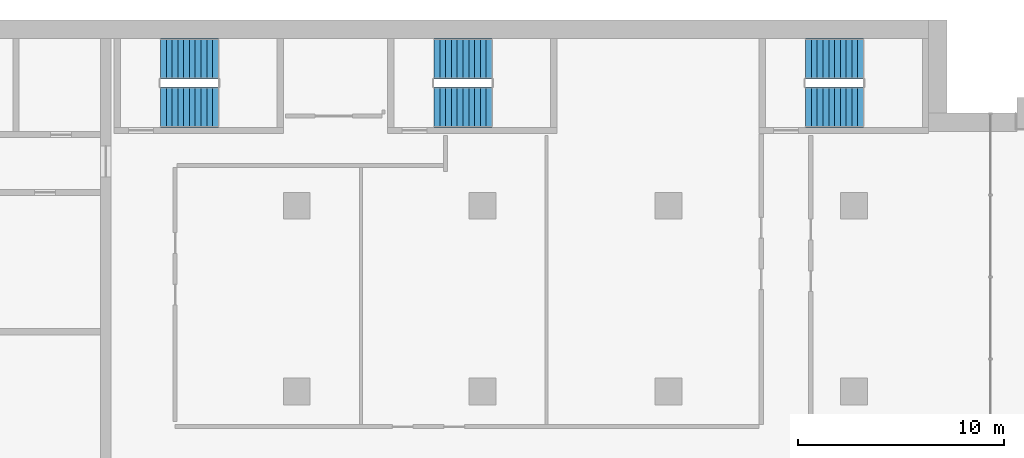
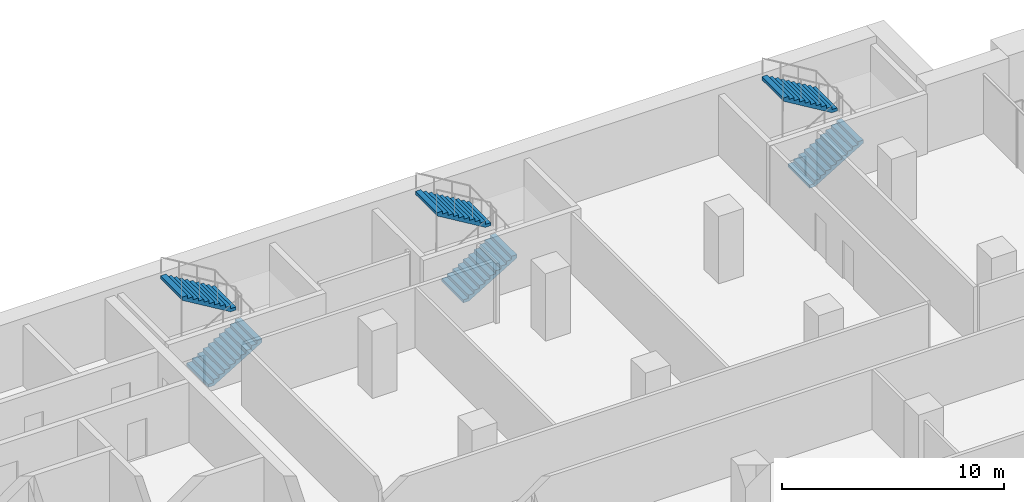
# One storey, part 18 of 23: 6 stair flights, 3 elements without a shape of their own.
"""IFC4 building model written with IfcOpenShell, lengths in metres."""

from ifc_helpers import new_model, si_unit, direction, frame, origin, place, context, subcontext, project, spatial, polyline, outline, extrude, material, type_object, element, aggregate, save


model = new_model("IFC4")

# Units and contexts
model_context = context("Model", 3, precision=1e-05, world=origin(), true_north=direction((0.0, 1.0)))
body_context = subcontext(model_context, "Body", "Model", "MODEL_VIEW")
ifc_project = project(units=[si_unit("LENGTHUNIT", "METRE"), si_unit("AREAUNIT", "SQUARE_METRE"), si_unit("VOLUMEUNIT", "CUBIC_METRE"), si_unit("PLANEANGLEUNIT", "RADIAN"), si_unit("MASSUNIT", "GRAM", prefix="KILO")], contexts=[model_context])

# Site, building, storey
site_placement = place(None, origin())
site = spatial("IfcSite", under=ifc_project, at=site_placement, CompositionType="ELEMENT")
building_placement = place(site_placement, origin())
building = spatial("IfcBuilding", under=site, at=building_placement, Name="Hunhe Ridgeline Campus", CompositionType="ELEMENT")
storey_placement = place(building_placement, frame((0.0, 0.0, 107.0)))
storey = spatial("IfcBuildingStorey", under=building, at=storey_placement, Name="L26", CompositionType="ELEMENT", Elevation=107.0)

# Stair, stair flights
ifc_material = material(Name="Concrete C40", Category="concrete")
stair_type = type_object("IfcStairType", Name="Reinforced concrete dog-leg stair 1950 Concrete C40", PredefinedType="HALF_TURN_STAIR", material=ifc_material)
stair_1_placement = place(storey_placement, origin())
stair_1 = element("IfcStair", 1, at=stair_1_placement, inside=storey, type_object=stair_type, Name="L26 E1", PredefinedType="HALF_TURN_STAIR")
stair_flight_type = type_object("IfcStairFlightType", Name="Reinforced concrete stair flight 1950 Concrete C40", PredefinedType="STRAIGHT", material=ifc_material)
stair_flight_1_placement = place(storey_placement, frame((38.39990234375, 94.77490234375, 0.0), z_axis=(0.0, 0.0, 1.0), x_axis=(1.0, 0.0, 0.0)))
stair_flight_1 = element("IfcStairFlight", 2, at=stair_flight_1_placement, type_object=stair_flight_type, Name="ST5 flight 1", NumberOfRisers=11, NumberOfTreads=10, PredefinedType="STRAIGHT", RiserHeight=0.168181818, TreadLength=0.28, context=body_context, shape_type="SweptSolid", body=[
    extrude(outline(polyline([(0.0, 0.0), (0.0, 0.168212890625), (0.280029296875, 0.168212890625), (0.280029296875, 0.33642578125), (0.56005859375, 0.33642578125), (0.56005859375, 0.504638671875), (0.840087890625, 0.504638671875), (0.840087890625, 0.672607421875), (1.1201171875, 0.672607421875), (1.1201171875, 0.8408203125), (1.39990234375, 0.8408203125), (1.39990234375, 1.009033203125), (1.679931640625, 1.009033203125), (1.679931640625, 1.17724609375), (1.9599609375, 1.17724609375), (1.9599609375, 1.345458984375), (2.239990234375, 1.345458984375), (2.239990234375, 1.513671875), (2.52001953125, 1.513671875), (2.52001953125, 1.681884765625), (2.800048828125, 1.681884765625), (2.800048828125, 1.85009765625), (2.800048828125, 1.5068359375), (0.291015625, 0.0), (0.0, 0.0)])), frame((0.0, 0.97509765625, 0.0), z_axis=(0.0, -1.0, 0.0), x_axis=(1.0, 0.0, 0.0)), (0.0, 0.0, 1.0), 1.949951171875),
    extrude(outline(polyline([(0.030029296875, 0.030029296875), (0.030029296875, 0.13818359375), (0.31005859375, 0.13818359375), (0.31005859375, 0.306396484375), (0.590087890625, 0.306396484375), (0.590087890625, 0.474609375), (0.8701171875, 0.474609375), (0.8701171875, 0.642578125), (1.14990234375, 0.642578125), (1.14990234375, 0.810791015625), (1.429931640625, 0.810791015625), (1.429931640625, 0.97900390625), (1.7099609375, 0.97900390625), (1.7099609375, 1.147216796875), (1.989990234375, 1.147216796875), (1.989990234375, 1.3154296875), (2.27001953125, 1.3154296875), (2.27001953125, 1.483642578125), (2.550048828125, 1.483642578125), (2.550048828125, 1.65185546875), (2.77001953125, 1.65185546875), (2.77001953125, 1.52392578125), (0.28271484375, 0.030029296875), (0.030029296875, 0.030029296875)])), frame((0.0, -0.070068359375, 0.0), z_axis=(0.0, -1.0, 0.0), x_axis=(1.0, 0.0, 0.0)), (0.0, 0.0, 1.0), 0.019775390625),
    extrude(outline(polyline([(0.030029296875, 0.030029296875), (0.030029296875, 0.13818359375), (0.31005859375, 0.13818359375), (0.31005859375, 0.306396484375), (0.590087890625, 0.306396484375), (0.590087890625, 0.474609375), (0.8701171875, 0.474609375), (0.8701171875, 0.642578125), (1.14990234375, 0.642578125), (1.14990234375, 0.810791015625), (1.429931640625, 0.810791015625), (1.429931640625, 0.97900390625), (1.7099609375, 0.97900390625), (1.7099609375, 1.147216796875), (1.989990234375, 1.147216796875), (1.989990234375, 1.3154296875), (2.27001953125, 1.3154296875), (2.27001953125, 1.483642578125), (2.550048828125, 1.483642578125), (2.550048828125, 1.65185546875), (2.77001953125, 1.65185546875), (2.77001953125, 1.52392578125), (0.28271484375, 0.030029296875), (0.030029296875, 0.030029296875)])), frame((0.0, 0.010009765625, 0.0), z_axis=(0.0, -1.0, 0.0), x_axis=(1.0, 0.0, 0.0)), (0.0, 0.0, 1.0), 0.019775390625),
    extrude(outline(polyline([(0.030029296875, 0.030029296875), (0.030029296875, 0.13818359375), (0.31005859375, 0.13818359375), (0.31005859375, 0.306396484375), (0.590087890625, 0.306396484375), (0.590087890625, 0.474609375), (0.8701171875, 0.474609375), (0.8701171875, 0.642578125), (1.14990234375, 0.642578125), (1.14990234375, 0.810791015625), (1.429931640625, 0.810791015625), (1.429931640625, 0.97900390625), (1.7099609375, 0.97900390625), (1.7099609375, 1.147216796875), (1.989990234375, 1.147216796875), (1.989990234375, 1.3154296875), (2.27001953125, 1.3154296875), (2.27001953125, 1.483642578125), (2.550048828125, 1.483642578125), (2.550048828125, 1.65185546875), (2.77001953125, 1.65185546875), (2.77001953125, 1.52392578125), (0.28271484375, 0.030029296875), (0.030029296875, 0.030029296875)])), frame((0.0, 0.090087890625, 0.0), z_axis=(0.0, -1.0, 0.0), x_axis=(1.0, 0.0, 0.0)), (0.0, 0.0, 1.0), 0.019775390625),
])
stair_flight_2_placement = place(storey_placement, frame((41.199951171875, 97.125, 1.85009765625), z_axis=(0.0, 0.0, 1.0), x_axis=(-1.0, 0.0, 0.0)))
stair_flight_2 = element("IfcStairFlight", 3, at=stair_flight_2_placement, type_object=stair_flight_type, Name="ST5 flight 2", NumberOfRisers=11, NumberOfTreads=10, PredefinedType="STRAIGHT", RiserHeight=0.168181818, TreadLength=0.28, context=body_context, shape_type="SweptSolid", body=[
    extrude(outline(polyline([(0.0, 0.0), (0.0, 0.168212890625), (0.280029296875, 0.168212890625), (0.280029296875, 0.33642578125), (0.56005859375, 0.33642578125), (0.56005859375, 0.504638671875), (0.840087890625, 0.504638671875), (0.840087890625, 0.672607421875), (1.1201171875, 0.672607421875), (1.1201171875, 0.8408203125), (1.39990234375, 0.8408203125), (1.39990234375, 1.009033203125), (1.679931640625, 1.009033203125), (1.679931640625, 1.17724609375), (1.9599609375, 1.17724609375), (1.9599609375, 1.345458984375), (2.239990234375, 1.345458984375), (2.239990234375, 1.513671875), (2.52001953125, 1.513671875), (2.52001953125, 1.681884765625), (2.800048828125, 1.681884765625), (2.800048828125, 1.85009765625), (2.800048828125, 1.5068359375), (0.291015625, 0.0), (0.0, 0.0)])), frame((0.0, 0.97509765625, 0.0), z_axis=(0.0, -1.0, 0.0), x_axis=(1.0, 0.0, 0.0)), (0.0, 0.0, 1.0), 1.949951171875),
    extrude(outline(polyline([(0.030029296875, 0.030029296875), (0.030029296875, 0.13818359375), (0.31005859375, 0.13818359375), (0.31005859375, 0.306396484375), (0.590087890625, 0.306396484375), (0.590087890625, 0.474609375), (0.8701171875, 0.474609375), (0.8701171875, 0.642578125), (1.14990234375, 0.642578125), (1.14990234375, 0.810791015625), (1.429931640625, 0.810791015625), (1.429931640625, 0.97900390625), (1.7099609375, 0.97900390625), (1.7099609375, 1.147216796875), (1.989990234375, 1.147216796875), (1.989990234375, 1.3154296875), (2.27001953125, 1.3154296875), (2.27001953125, 1.483642578125), (2.550048828125, 1.483642578125), (2.550048828125, 1.65185546875), (2.77001953125, 1.65185546875), (2.77001953125, 1.52392578125), (0.28271484375, 0.030029296875), (0.030029296875, 0.030029296875)])), frame((0.0, -0.070068359375, 0.0), z_axis=(0.0, -1.0, 0.0), x_axis=(1.0, 0.0, 0.0)), (0.0, 0.0, 1.0), 0.019775390625),
    extrude(outline(polyline([(0.030029296875, 0.030029296875), (0.030029296875, 0.13818359375), (0.31005859375, 0.13818359375), (0.31005859375, 0.306396484375), (0.590087890625, 0.306396484375), (0.590087890625, 0.474609375), (0.8701171875, 0.474609375), (0.8701171875, 0.642578125), (1.14990234375, 0.642578125), (1.14990234375, 0.810791015625), (1.429931640625, 0.810791015625), (1.429931640625, 0.97900390625), (1.7099609375, 0.97900390625), (1.7099609375, 1.147216796875), (1.989990234375, 1.147216796875), (1.989990234375, 1.3154296875), (2.27001953125, 1.3154296875), (2.27001953125, 1.483642578125), (2.550048828125, 1.483642578125), (2.550048828125, 1.65185546875), (2.77001953125, 1.65185546875), (2.77001953125, 1.52392578125), (0.28271484375, 0.030029296875), (0.030029296875, 0.030029296875)])), frame((0.0, 0.010009765625, 0.0), z_axis=(0.0, -1.0, 0.0), x_axis=(1.0, 0.0, 0.0)), (0.0, 0.0, 1.0), 0.019775390625),
    extrude(outline(polyline([(0.030029296875, 0.030029296875), (0.030029296875, 0.13818359375), (0.31005859375, 0.13818359375), (0.31005859375, 0.306396484375), (0.590087890625, 0.306396484375), (0.590087890625, 0.474609375), (0.8701171875, 0.474609375), (0.8701171875, 0.642578125), (1.14990234375, 0.642578125), (1.14990234375, 0.810791015625), (1.429931640625, 0.810791015625), (1.429931640625, 0.97900390625), (1.7099609375, 0.97900390625), (1.7099609375, 1.147216796875), (1.989990234375, 1.147216796875), (1.989990234375, 1.3154296875), (2.27001953125, 1.3154296875), (2.27001953125, 1.483642578125), (2.550048828125, 1.483642578125), (2.550048828125, 1.65185546875), (2.77001953125, 1.65185546875), (2.77001953125, 1.52392578125), (0.28271484375, 0.030029296875), (0.030029296875, 0.030029296875)])), frame((0.0, 0.090087890625, 0.0), z_axis=(0.0, -1.0, 0.0), x_axis=(1.0, 0.0, 0.0)), (0.0, 0.0, 1.0), 0.019775390625),
])
aggregate(stair_1, [stair_flight_1, stair_flight_2])

stair_2_placement = place(storey_placement, origin())
stair_2 = element("IfcStair", 4, at=stair_2_placement, inside=storey, type_object=stair_type, Name="L26 E2", PredefinedType="HALF_TURN_STAIR")
stair_flight_3_placement = place(storey_placement, frame((51.64990234375, 94.77490234375, 0.0), z_axis=(0.0, 0.0, 1.0), x_axis=(1.0, 0.0, 0.0)))
stair_flight_3 = element("IfcStairFlight", 5, at=stair_flight_3_placement, type_object=stair_flight_type, Name="ST6 flight 1", NumberOfRisers=11, NumberOfTreads=10, PredefinedType="STRAIGHT", RiserHeight=0.168181818, TreadLength=0.28, context=body_context, shape_type="SweptSolid", body=[
    extrude(outline(polyline([(0.0, 0.0), (0.0, 0.168212890625), (0.280029296875, 0.168212890625), (0.280029296875, 0.33642578125), (0.56005859375, 0.33642578125), (0.56005859375, 0.504638671875), (0.840087890625, 0.504638671875), (0.840087890625, 0.672607421875), (1.1201171875, 0.672607421875), (1.1201171875, 0.8408203125), (1.39990234375, 0.8408203125), (1.39990234375, 1.009033203125), (1.679931640625, 1.009033203125), (1.679931640625, 1.17724609375), (1.9599609375, 1.17724609375), (1.9599609375, 1.345458984375), (2.239990234375, 1.345458984375), (2.239990234375, 1.513671875), (2.52001953125, 1.513671875), (2.52001953125, 1.681884765625), (2.800048828125, 1.681884765625), (2.800048828125, 1.85009765625), (2.800048828125, 1.5068359375), (0.291015625, 0.0), (0.0, 0.0)])), frame((0.0, 0.97509765625, 0.0), z_axis=(0.0, -1.0, 0.0), x_axis=(1.0, 0.0, 0.0)), (0.0, 0.0, 1.0), 1.949951171875),
    extrude(outline(polyline([(0.030029296875, 0.030029296875), (0.030029296875, 0.13818359375), (0.31005859375, 0.13818359375), (0.31005859375, 0.306396484375), (0.590087890625, 0.306396484375), (0.590087890625, 0.474609375), (0.8701171875, 0.474609375), (0.8701171875, 0.642578125), (1.14990234375, 0.642578125), (1.14990234375, 0.810791015625), (1.429931640625, 0.810791015625), (1.429931640625, 0.97900390625), (1.7099609375, 0.97900390625), (1.7099609375, 1.147216796875), (1.989990234375, 1.147216796875), (1.989990234375, 1.3154296875), (2.27001953125, 1.3154296875), (2.27001953125, 1.483642578125), (2.550048828125, 1.483642578125), (2.550048828125, 1.65185546875), (2.77001953125, 1.65185546875), (2.77001953125, 1.52392578125), (0.28271484375, 0.030029296875), (0.030029296875, 0.030029296875)])), frame((0.0, -0.070068359375, 0.0), z_axis=(0.0, -1.0, 0.0), x_axis=(1.0, 0.0, 0.0)), (0.0, 0.0, 1.0), 0.019775390625),
    extrude(outline(polyline([(0.030029296875, 0.030029296875), (0.030029296875, 0.13818359375), (0.31005859375, 0.13818359375), (0.31005859375, 0.306396484375), (0.590087890625, 0.306396484375), (0.590087890625, 0.474609375), (0.8701171875, 0.474609375), (0.8701171875, 0.642578125), (1.14990234375, 0.642578125), (1.14990234375, 0.810791015625), (1.429931640625, 0.810791015625), (1.429931640625, 0.97900390625), (1.7099609375, 0.97900390625), (1.7099609375, 1.147216796875), (1.989990234375, 1.147216796875), (1.989990234375, 1.3154296875), (2.27001953125, 1.3154296875), (2.27001953125, 1.483642578125), (2.550048828125, 1.483642578125), (2.550048828125, 1.65185546875), (2.77001953125, 1.65185546875), (2.77001953125, 1.52392578125), (0.28271484375, 0.030029296875), (0.030029296875, 0.030029296875)])), frame((0.0, 0.010009765625, 0.0), z_axis=(0.0, -1.0, 0.0), x_axis=(1.0, 0.0, 0.0)), (0.0, 0.0, 1.0), 0.019775390625),
    extrude(outline(polyline([(0.030029296875, 0.030029296875), (0.030029296875, 0.13818359375), (0.31005859375, 0.13818359375), (0.31005859375, 0.306396484375), (0.590087890625, 0.306396484375), (0.590087890625, 0.474609375), (0.8701171875, 0.474609375), (0.8701171875, 0.642578125), (1.14990234375, 0.642578125), (1.14990234375, 0.810791015625), (1.429931640625, 0.810791015625), (1.429931640625, 0.97900390625), (1.7099609375, 0.97900390625), (1.7099609375, 1.147216796875), (1.989990234375, 1.147216796875), (1.989990234375, 1.3154296875), (2.27001953125, 1.3154296875), (2.27001953125, 1.483642578125), (2.550048828125, 1.483642578125), (2.550048828125, 1.65185546875), (2.77001953125, 1.65185546875), (2.77001953125, 1.52392578125), (0.28271484375, 0.030029296875), (0.030029296875, 0.030029296875)])), frame((0.0, 0.090087890625, 0.0), z_axis=(0.0, -1.0, 0.0), x_axis=(1.0, 0.0, 0.0)), (0.0, 0.0, 1.0), 0.019775390625),
])
stair_flight_4_placement = place(storey_placement, frame((54.449951171875, 97.125, 1.85009765625), z_axis=(0.0, 0.0, 1.0), x_axis=(-1.0, 0.0, 0.0)))
stair_flight_4 = element("IfcStairFlight", 6, at=stair_flight_4_placement, type_object=stair_flight_type, Name="ST6 flight 2", NumberOfRisers=11, NumberOfTreads=10, PredefinedType="STRAIGHT", RiserHeight=0.168181818, TreadLength=0.28, context=body_context, shape_type="SweptSolid", body=[
    extrude(outline(polyline([(0.0, 0.0), (0.0, 0.168212890625), (0.280029296875, 0.168212890625), (0.280029296875, 0.33642578125), (0.56005859375, 0.33642578125), (0.56005859375, 0.504638671875), (0.840087890625, 0.504638671875), (0.840087890625, 0.672607421875), (1.1201171875, 0.672607421875), (1.1201171875, 0.8408203125), (1.39990234375, 0.8408203125), (1.39990234375, 1.009033203125), (1.679931640625, 1.009033203125), (1.679931640625, 1.17724609375), (1.9599609375, 1.17724609375), (1.9599609375, 1.345458984375), (2.239990234375, 1.345458984375), (2.239990234375, 1.513671875), (2.52001953125, 1.513671875), (2.52001953125, 1.681884765625), (2.800048828125, 1.681884765625), (2.800048828125, 1.85009765625), (2.800048828125, 1.5068359375), (0.291015625, 0.0), (0.0, 0.0)])), frame((0.0, 0.97509765625, 0.0), z_axis=(0.0, -1.0, 0.0), x_axis=(1.0, 0.0, 0.0)), (0.0, 0.0, 1.0), 1.949951171875),
    extrude(outline(polyline([(0.030029296875, 0.030029296875), (0.030029296875, 0.13818359375), (0.31005859375, 0.13818359375), (0.31005859375, 0.306396484375), (0.590087890625, 0.306396484375), (0.590087890625, 0.474609375), (0.8701171875, 0.474609375), (0.8701171875, 0.642578125), (1.14990234375, 0.642578125), (1.14990234375, 0.810791015625), (1.429931640625, 0.810791015625), (1.429931640625, 0.97900390625), (1.7099609375, 0.97900390625), (1.7099609375, 1.147216796875), (1.989990234375, 1.147216796875), (1.989990234375, 1.3154296875), (2.27001953125, 1.3154296875), (2.27001953125, 1.483642578125), (2.550048828125, 1.483642578125), (2.550048828125, 1.65185546875), (2.77001953125, 1.65185546875), (2.77001953125, 1.52392578125), (0.28271484375, 0.030029296875), (0.030029296875, 0.030029296875)])), frame((0.0, -0.070068359375, 0.0), z_axis=(0.0, -1.0, 0.0), x_axis=(1.0, 0.0, 0.0)), (0.0, 0.0, 1.0), 0.019775390625),
    extrude(outline(polyline([(0.030029296875, 0.030029296875), (0.030029296875, 0.13818359375), (0.31005859375, 0.13818359375), (0.31005859375, 0.306396484375), (0.590087890625, 0.306396484375), (0.590087890625, 0.474609375), (0.8701171875, 0.474609375), (0.8701171875, 0.642578125), (1.14990234375, 0.642578125), (1.14990234375, 0.810791015625), (1.429931640625, 0.810791015625), (1.429931640625, 0.97900390625), (1.7099609375, 0.97900390625), (1.7099609375, 1.147216796875), (1.989990234375, 1.147216796875), (1.989990234375, 1.3154296875), (2.27001953125, 1.3154296875), (2.27001953125, 1.483642578125), (2.550048828125, 1.483642578125), (2.550048828125, 1.65185546875), (2.77001953125, 1.65185546875), (2.77001953125, 1.52392578125), (0.28271484375, 0.030029296875), (0.030029296875, 0.030029296875)])), frame((0.0, 0.010009765625, 0.0), z_axis=(0.0, -1.0, 0.0), x_axis=(1.0, 0.0, 0.0)), (0.0, 0.0, 1.0), 0.019775390625),
    extrude(outline(polyline([(0.030029296875, 0.030029296875), (0.030029296875, 0.13818359375), (0.31005859375, 0.13818359375), (0.31005859375, 0.306396484375), (0.590087890625, 0.306396484375), (0.590087890625, 0.474609375), (0.8701171875, 0.474609375), (0.8701171875, 0.642578125), (1.14990234375, 0.642578125), (1.14990234375, 0.810791015625), (1.429931640625, 0.810791015625), (1.429931640625, 0.97900390625), (1.7099609375, 0.97900390625), (1.7099609375, 1.147216796875), (1.989990234375, 1.147216796875), (1.989990234375, 1.3154296875), (2.27001953125, 1.3154296875), (2.27001953125, 1.483642578125), (2.550048828125, 1.483642578125), (2.550048828125, 1.65185546875), (2.77001953125, 1.65185546875), (2.77001953125, 1.52392578125), (0.28271484375, 0.030029296875), (0.030029296875, 0.030029296875)])), frame((0.0, 0.090087890625, 0.0), z_axis=(0.0, -1.0, 0.0), x_axis=(1.0, 0.0, 0.0)), (0.0, 0.0, 1.0), 0.019775390625),
])
aggregate(stair_2, [stair_flight_3, stair_flight_4])

stair_3_placement = place(storey_placement, origin())
stair_3 = element("IfcStair", 7, at=stair_3_placement, inside=storey, type_object=stair_type, Name="L26 E3", PredefinedType="HALF_TURN_STAIR")
stair_flight_5_placement = place(storey_placement, frame((69.64990234375, 94.77490234375, 0.0), z_axis=(0.0, 0.0, 1.0), x_axis=(1.0, 0.0, 0.0)))
stair_flight_5 = element("IfcStairFlight", 8, at=stair_flight_5_placement, type_object=stair_flight_type, Name="ST7 flight 1", NumberOfRisers=11, NumberOfTreads=10, PredefinedType="STRAIGHT", RiserHeight=0.168181818, TreadLength=0.28, context=body_context, shape_type="SweptSolid", body=[
    extrude(outline(polyline([(0.0, 0.0), (0.0, 0.168212890625), (0.280029296875, 0.168212890625), (0.280029296875, 0.33642578125), (0.56005859375, 0.33642578125), (0.56005859375, 0.504638671875), (0.840087890625, 0.504638671875), (0.840087890625, 0.672607421875), (1.1201171875, 0.672607421875), (1.1201171875, 0.8408203125), (1.39990234375, 0.8408203125), (1.39990234375, 1.009033203125), (1.679931640625, 1.009033203125), (1.679931640625, 1.17724609375), (1.9599609375, 1.17724609375), (1.9599609375, 1.345458984375), (2.239990234375, 1.345458984375), (2.239990234375, 1.513671875), (2.52001953125, 1.513671875), (2.52001953125, 1.681884765625), (2.800048828125, 1.681884765625), (2.800048828125, 1.85009765625), (2.800048828125, 1.5068359375), (0.291015625, 0.0), (0.0, 0.0)])), frame((0.0, 0.97509765625, 0.0), z_axis=(0.0, -1.0, 0.0), x_axis=(1.0, 0.0, 0.0)), (0.0, 0.0, 1.0), 1.949951171875),
    extrude(outline(polyline([(0.030029296875, 0.030029296875), (0.030029296875, 0.13818359375), (0.31005859375, 0.13818359375), (0.31005859375, 0.306396484375), (0.590087890625, 0.306396484375), (0.590087890625, 0.474609375), (0.8701171875, 0.474609375), (0.8701171875, 0.642578125), (1.14990234375, 0.642578125), (1.14990234375, 0.810791015625), (1.429931640625, 0.810791015625), (1.429931640625, 0.97900390625), (1.7099609375, 0.97900390625), (1.7099609375, 1.147216796875), (1.989990234375, 1.147216796875), (1.989990234375, 1.3154296875), (2.27001953125, 1.3154296875), (2.27001953125, 1.483642578125), (2.550048828125, 1.483642578125), (2.550048828125, 1.65185546875), (2.77001953125, 1.65185546875), (2.77001953125, 1.52392578125), (0.28271484375, 0.030029296875), (0.030029296875, 0.030029296875)])), frame((0.0, -0.070068359375, 0.0), z_axis=(0.0, -1.0, 0.0), x_axis=(1.0, 0.0, 0.0)), (0.0, 0.0, 1.0), 0.019775390625),
    extrude(outline(polyline([(0.030029296875, 0.030029296875), (0.030029296875, 0.13818359375), (0.31005859375, 0.13818359375), (0.31005859375, 0.306396484375), (0.590087890625, 0.306396484375), (0.590087890625, 0.474609375), (0.8701171875, 0.474609375), (0.8701171875, 0.642578125), (1.14990234375, 0.642578125), (1.14990234375, 0.810791015625), (1.429931640625, 0.810791015625), (1.429931640625, 0.97900390625), (1.7099609375, 0.97900390625), (1.7099609375, 1.147216796875), (1.989990234375, 1.147216796875), (1.989990234375, 1.3154296875), (2.27001953125, 1.3154296875), (2.27001953125, 1.483642578125), (2.550048828125, 1.483642578125), (2.550048828125, 1.65185546875), (2.77001953125, 1.65185546875), (2.77001953125, 1.52392578125), (0.28271484375, 0.030029296875), (0.030029296875, 0.030029296875)])), frame((0.0, 0.010009765625, 0.0), z_axis=(0.0, -1.0, 0.0), x_axis=(1.0, 0.0, 0.0)), (0.0, 0.0, 1.0), 0.019775390625),
    extrude(outline(polyline([(0.030029296875, 0.030029296875), (0.030029296875, 0.13818359375), (0.31005859375, 0.13818359375), (0.31005859375, 0.306396484375), (0.590087890625, 0.306396484375), (0.590087890625, 0.474609375), (0.8701171875, 0.474609375), (0.8701171875, 0.642578125), (1.14990234375, 0.642578125), (1.14990234375, 0.810791015625), (1.429931640625, 0.810791015625), (1.429931640625, 0.97900390625), (1.7099609375, 0.97900390625), (1.7099609375, 1.147216796875), (1.989990234375, 1.147216796875), (1.989990234375, 1.3154296875), (2.27001953125, 1.3154296875), (2.27001953125, 1.483642578125), (2.550048828125, 1.483642578125), (2.550048828125, 1.65185546875), (2.77001953125, 1.65185546875), (2.77001953125, 1.52392578125), (0.28271484375, 0.030029296875), (0.030029296875, 0.030029296875)])), frame((0.0, 0.090087890625, 0.0), z_axis=(0.0, -1.0, 0.0), x_axis=(1.0, 0.0, 0.0)), (0.0, 0.0, 1.0), 0.019775390625),
])
stair_flight_6_placement = place(storey_placement, frame((72.449951171875, 97.125, 1.85009765625), z_axis=(0.0, 0.0, 1.0), x_axis=(-1.0, 0.0, 0.0)))
stair_flight_6 = element("IfcStairFlight", 9, at=stair_flight_6_placement, type_object=stair_flight_type, Name="ST7 flight 2", NumberOfRisers=11, NumberOfTreads=10, PredefinedType="STRAIGHT", RiserHeight=0.168181818, TreadLength=0.28, context=body_context, shape_type="SweptSolid", body=[
    extrude(outline(polyline([(0.0, 0.0), (0.0, 0.168212890625), (0.280029296875, 0.168212890625), (0.280029296875, 0.33642578125), (0.56005859375, 0.33642578125), (0.56005859375, 0.504638671875), (0.840087890625, 0.504638671875), (0.840087890625, 0.672607421875), (1.1201171875, 0.672607421875), (1.1201171875, 0.8408203125), (1.39990234375, 0.8408203125), (1.39990234375, 1.009033203125), (1.679931640625, 1.009033203125), (1.679931640625, 1.17724609375), (1.9599609375, 1.17724609375), (1.9599609375, 1.345458984375), (2.239990234375, 1.345458984375), (2.239990234375, 1.513671875), (2.52001953125, 1.513671875), (2.52001953125, 1.681884765625), (2.800048828125, 1.681884765625), (2.800048828125, 1.85009765625), (2.800048828125, 1.5068359375), (0.291015625, 0.0), (0.0, 0.0)])), frame((0.0, 0.97509765625, 0.0), z_axis=(0.0, -1.0, 0.0), x_axis=(1.0, 0.0, 0.0)), (0.0, 0.0, 1.0), 1.949951171875),
    extrude(outline(polyline([(0.030029296875, 0.030029296875), (0.030029296875, 0.13818359375), (0.31005859375, 0.13818359375), (0.31005859375, 0.306396484375), (0.590087890625, 0.306396484375), (0.590087890625, 0.474609375), (0.8701171875, 0.474609375), (0.8701171875, 0.642578125), (1.14990234375, 0.642578125), (1.14990234375, 0.810791015625), (1.429931640625, 0.810791015625), (1.429931640625, 0.97900390625), (1.7099609375, 0.97900390625), (1.7099609375, 1.147216796875), (1.989990234375, 1.147216796875), (1.989990234375, 1.3154296875), (2.27001953125, 1.3154296875), (2.27001953125, 1.483642578125), (2.550048828125, 1.483642578125), (2.550048828125, 1.65185546875), (2.77001953125, 1.65185546875), (2.77001953125, 1.52392578125), (0.28271484375, 0.030029296875), (0.030029296875, 0.030029296875)])), frame((0.0, -0.070068359375, 0.0), z_axis=(0.0, -1.0, 0.0), x_axis=(1.0, 0.0, 0.0)), (0.0, 0.0, 1.0), 0.019775390625),
    extrude(outline(polyline([(0.030029296875, 0.030029296875), (0.030029296875, 0.13818359375), (0.31005859375, 0.13818359375), (0.31005859375, 0.306396484375), (0.590087890625, 0.306396484375), (0.590087890625, 0.474609375), (0.8701171875, 0.474609375), (0.8701171875, 0.642578125), (1.14990234375, 0.642578125), (1.14990234375, 0.810791015625), (1.429931640625, 0.810791015625), (1.429931640625, 0.97900390625), (1.7099609375, 0.97900390625), (1.7099609375, 1.147216796875), (1.989990234375, 1.147216796875), (1.989990234375, 1.3154296875), (2.27001953125, 1.3154296875), (2.27001953125, 1.483642578125), (2.550048828125, 1.483642578125), (2.550048828125, 1.65185546875), (2.77001953125, 1.65185546875), (2.77001953125, 1.52392578125), (0.28271484375, 0.030029296875), (0.030029296875, 0.030029296875)])), frame((0.0, 0.010009765625, 0.0), z_axis=(0.0, -1.0, 0.0), x_axis=(1.0, 0.0, 0.0)), (0.0, 0.0, 1.0), 0.019775390625),
    extrude(outline(polyline([(0.030029296875, 0.030029296875), (0.030029296875, 0.13818359375), (0.31005859375, 0.13818359375), (0.31005859375, 0.306396484375), (0.590087890625, 0.306396484375), (0.590087890625, 0.474609375), (0.8701171875, 0.474609375), (0.8701171875, 0.642578125), (1.14990234375, 0.642578125), (1.14990234375, 0.810791015625), (1.429931640625, 0.810791015625), (1.429931640625, 0.97900390625), (1.7099609375, 0.97900390625), (1.7099609375, 1.147216796875), (1.989990234375, 1.147216796875), (1.989990234375, 1.3154296875), (2.27001953125, 1.3154296875), (2.27001953125, 1.483642578125), (2.550048828125, 1.483642578125), (2.550048828125, 1.65185546875), (2.77001953125, 1.65185546875), (2.77001953125, 1.52392578125), (0.28271484375, 0.030029296875), (0.030029296875, 0.030029296875)])), frame((0.0, 0.090087890625, 0.0), z_axis=(0.0, -1.0, 0.0), x_axis=(1.0, 0.0, 0.0)), (0.0, 0.0, 1.0), 0.019775390625),
])
aggregate(stair_3, [stair_flight_5, stair_flight_6])

save(model, "model.ifc")
